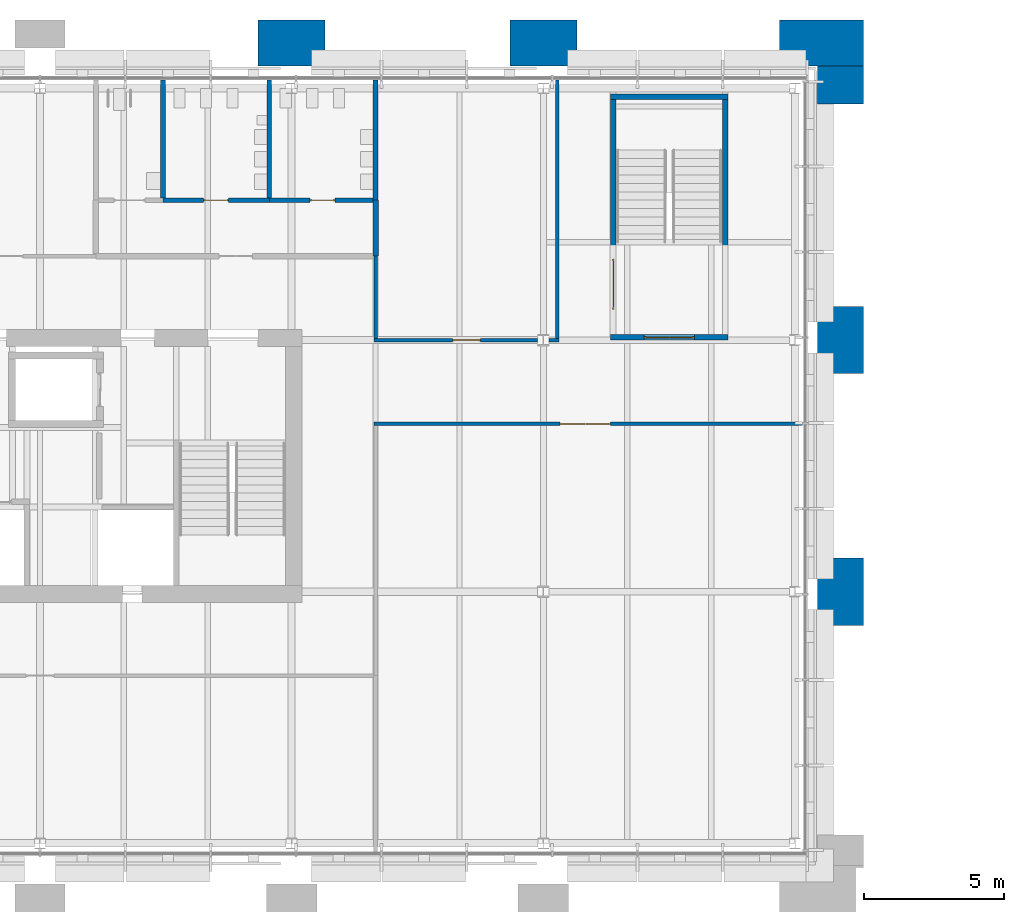
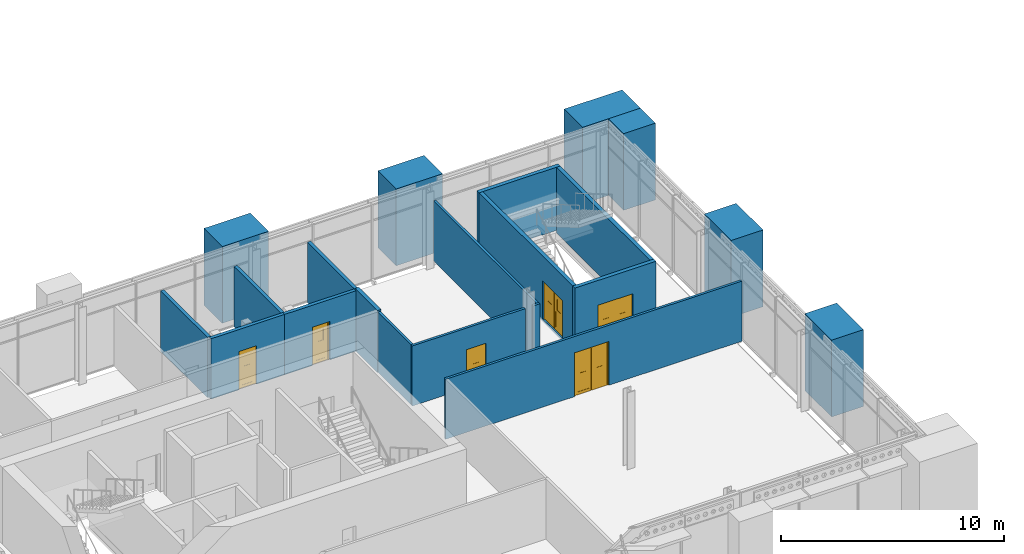
# One storey, part 28 of 54: 21 walls, 6 doors, 6 openings.
"""IFC4 building model written with IfcOpenShell, lengths in metres."""

import ifcopenshell
import ifcopenshell.guid

model = None  # the IFC model being written
_history = None  # IfcOwnerHistory: only IFC2X3 demands one
_inside = {}  # id of a spatial element -> (the spatial element, [elements in it])
_under = {}  # id of a project, library or spatial element -> (it, [spatial elements below it])
_declared = {}  # id of a project -> (the project, [libraries it declares])
_typed = {}  # id of a type object -> (the type object, [elements of that type])
_made_of = {}  # id of a material, layer set ... -> (it, [elements and type objects made of it])


def new_model(schema):
    """Start an empty IFC model of exactly this schema.

    Asked for "IFC4X3", IfcOpenShell would pick the latest addendum, in which some entities
    have other attributes; the version numbers below select the first issue.
    IFC2X3 requires an IfcOwnerHistory on every rooted entity: one is made here for all.
    """
    global model, _history
    if schema == "IFC4X3":
        model = ifcopenshell.file(schema_version=(4, 3, 0, 0))
    else:
        model = ifcopenshell.file(schema=schema)
    _inside.clear()
    _under.clear()
    _declared.clear()
    _typed.clear()
    _made_of.clear()
    _history = None
    if model.schema == "IFC2X3":
        org = make("IfcOrganization", Name="unknown")
        user = make(
            "IfcPersonAndOrganization",
            ThePerson=make("IfcPerson", FamilyName="unknown"),
            TheOrganization=org,
        )
        app = make(
            "IfcApplication",
            ApplicationDeveloper=org,
            Version="unknown",
            ApplicationFullName="unknown",
            ApplicationIdentifier="unknown",
        )
        _history = make(
            "IfcOwnerHistory",
            OwningUser=user,
            OwningApplication=app,
            ChangeAction="ADDED",
            CreationDate=0,
        )
    return model


def make(cls, **values):
    """One entity of the class cls with the attributes given. An attribute that is None is left unset."""
    return model.create_entity(
        cls, **{name: value for name, value in values.items() if value is not None}
    )


def rooted(cls, **values):
    """An entity with a GlobalId (a new one), such as an element, a storey or a relation."""
    return make(cls, GlobalId=ifcopenshell.guid.new(), OwnerHistory=_history, **values)


def si_unit(unit_type, name, prefix=None):
    """IfcSIUnit, for example si_unit("LENGTHUNIT", "METRE", prefix="MILLI")."""
    return make("IfcSIUnit", UnitType=unit_type, Prefix=prefix, Name=name)


def assignment(units):
    """IfcUnitAssignment: the units of a project."""
    return None if units is None else make("IfcUnitAssignment", Units=units)


def point(xyz):
    """IfcCartesianPoint."""
    return None if xyz is None else make("IfcCartesianPoint", Coordinates=xyz)


def direction(xyz):
    """IfcDirection."""
    return None if xyz is None else make("IfcDirection", DirectionRatios=xyz)


def frame(location, z_axis=None, x_axis=None):
    """IfcAxis2Placement3D, a coordinate frame: its origin and axes. An axis left out is left unset."""
    return make(
        "IfcAxis2Placement3D",
        Location=point(location),
        Axis=direction(z_axis),
        RefDirection=direction(x_axis),
    )


def frame_2d(location, x_axis=None):
    """IfcAxis2Placement2D, a coordinate frame in the plane: its origin and x axis."""
    return make(
        "IfcAxis2Placement2D", Location=point(location), RefDirection=direction(x_axis)
    )


def origin():
    """The frame at (0, 0, 0) with its axes left unset."""
    return frame((0.0, 0.0, 0.0))


def place(relative_to, where):
    """IfcLocalPlacement: puts the frame where relative to a parent placement (None: the world)."""
    return make(
        "IfcLocalPlacement", PlacementRelTo=relative_to, RelativePlacement=where
    )


def context(
    kind, dimensions, precision=None, world=None, true_north=None, identifier=None
):
    """IfcGeometricRepresentationContext, for example the 3D "Model" context."""
    return make(
        "IfcGeometricRepresentationContext",
        ContextIdentifier=identifier,
        ContextType=kind,
        CoordinateSpaceDimension=dimensions,
        Precision=precision,
        WorldCoordinateSystem=world,
        TrueNorth=true_north,
    )


def subcontext(parent, identifier, kind, view, scale=None):
    """IfcGeometricRepresentationSubContext, for example "Body" below "Model"."""
    return make(
        "IfcGeometricRepresentationSubContext",
        ContextIdentifier=identifier,
        ContextType=kind,
        ParentContext=parent,
        TargetScale=scale,
        TargetView=view,
    )


def project(units=None, contexts=None):
    """IfcProject with its units and contexts."""
    return rooted(
        "IfcProject",
        Name="project",
        RepresentationContexts=contexts,
        UnitsInContext=assignment(units),
    )


def spatial(cls, under=None, at=None, **own):
    """A site, building, storey or space (cls), placed at a placement, below another one or the project."""
    s = rooted(cls, ObjectPlacement=at, **own)
    if under is not None:
        _under.setdefault(under.id(), (under, []))[1].append(s)
    return s


def polyline(points):
    """IfcPolyline through the points."""
    return make("IfcPolyline", Points=[point(p) for p in points])


def profile(cls, at=None, kind="AREA", **sizes):
    """A parametric profile (cls). Its sizes go by their IFC names, for example OverallWidth=200.0."""
    return make(cls, ProfileType=kind, Position=at, **sizes)


def rectangle(**sizes):
    """IfcRectangleProfileDef."""
    return profile("IfcRectangleProfileDef", **sizes)


def outline(outer, holes=None, kind="AREA"):
    """IfcArbitraryClosedProfileDef: a profile drawn as a closed curve; with holes, ...WithVoids."""
    if holes is None:
        return make("IfcArbitraryClosedProfileDef", ProfileType=kind, OuterCurve=outer)
    return make(
        "IfcArbitraryProfileDefWithVoids",
        ProfileType=kind,
        OuterCurve=outer,
        InnerCurves=holes,
    )


def extrude(swept, where, along, depth):
    """IfcExtrudedAreaSolid: the profile swept, set in the frame where, extruded along a direction by depth."""
    return make(
        "IfcExtrudedAreaSolid",
        SweptArea=swept,
        Position=where,
        ExtrudedDirection=direction(along),
        Depth=depth,
    )


def shape(context_of_items, identifier, shape_type, items):
    """IfcShapeRepresentation: the items that make up one representation, for example the "Body"."""
    return make(
        "IfcShapeRepresentation",
        ContextOfItems=context_of_items,
        RepresentationIdentifier=identifier,
        RepresentationType=shape_type,
        Items=items,
    )


def material(Name=None, Category=None):
    """IfcMaterial."""
    return make("IfcMaterial", Name=Name, Category=Category)


def layer(
    of_material, thickness, ventilated=None, Name=None, Category=None, Priority=None
):
    """IfcMaterialLayer: one layer of a wall or slab, of a material (None: an air gap)."""
    return make(
        "IfcMaterialLayer",
        Material=of_material,
        LayerThickness=thickness,
        IsVentilated=ventilated,
        Name=Name,
        Category=Category,
        Priority=Priority,
    )


def layer_set(layers, Name=None):
    """IfcMaterialLayerSet."""
    return make("IfcMaterialLayerSet", MaterialLayers=layers, LayerSetName=Name)


def made_of(thing, what):
    """Note that an element or type object is made of a material, layer set ...; save() writes the relation."""
    if what is not None:
        _made_of.setdefault(what.id(), (what, []))[1].append(thing)
    return thing


def type_object(cls, material=None, **own):
    """A type object (cls), such as IfcWallType, which elements share."""
    return made_of(rooted(cls, **own), material)


def element(
    cls,
    number,
    at=None,
    inside=None,
    cuts=None,
    type_object=None,
    material=None,
    context=None,
    identifier="Body",
    shape_type=None,
    held_by="IfcProductDefinitionShape",
    body=None,
    shapes=None,
    **own,
):
    """One element of the class cls, such as IfcWall. Its Tag is "e" and its number.

    at: its placement. inside: the storey or other place that contains it. cuts: it is an
    opening in that element (IfcRelVoidsElement). A single representation is given by context,
    identifier, shape_type and body (its items); several are given by shapes. held_by: the class
    of the entity that holds the representations. save() writes the other relations.
    """
    e = rooted(cls, Tag="e%d" % number, ObjectPlacement=at, **own)
    if body is not None:
        shapes = [shape(context, identifier, shape_type, body)]
    if shapes is not None:
        e.Representation = make(held_by, Representations=shapes)
    if inside is not None:
        _inside.setdefault(inside.id(), (inside, []))[1].append(e)
    if cuts is not None:
        rooted(
            "IfcRelVoidsElement", RelatingBuildingElement=cuts, RelatedOpeningElement=e
        )
    if type_object is not None:
        _typed.setdefault(type_object.id(), (type_object, []))[1].append(e)
    return made_of(e, material)


def fill(opening, filler):
    """IfcRelFillsElement: the door or window that sits in an opening."""
    return rooted(
        "IfcRelFillsElement",
        RelatingOpeningElement=opening,
        RelatedBuildingElement=filler,
    )


def aggregate(whole, parts):
    """IfcRelAggregates: a whole, such as a stair, and the parts it consists of."""
    return rooted("IfcRelAggregates", RelatingObject=whole, RelatedObjects=parts)


def save(model, path):
    """Write the relations noted so far, then the file.

    IfcRelAggregates (storeys below a building ...), IfcRelContainedInSpatialStructure (elements
    in a storey), IfcRelDefinesByType, IfcRelAssociatesMaterial and IfcRelDeclares: one each for
    every whole, place, type object, material and project.
    """
    for whole, parts in _under.values():
        aggregate(whole, parts)
    for where, things in _inside.values():
        rooted(
            "IfcRelContainedInSpatialStructure",
            RelatedElements=things,
            RelatingStructure=where,
        )
    for kind, things in _typed.values():
        rooted("IfcRelDefinesByType", RelatedObjects=things, RelatingType=kind)
    for what, things in _made_of.values():
        rooted("IfcRelAssociatesMaterial", RelatedObjects=things, RelatingMaterial=what)
    for by, libraries in _declared.values():
        rooted("IfcRelDeclares", RelatingContext=by, RelatedDefinitions=libraries)
    model.write(path)


model = new_model("IFC4")

# Units and contexts
model_context = context("Model", 3, precision=1e-05, world=origin(), true_north=direction((0.0, 1.0)))
body_context = subcontext(model_context, "Body", "Model", "MODEL_VIEW")
ifc_project = project(units=[si_unit("LENGTHUNIT", "METRE"), si_unit("AREAUNIT", "SQUARE_METRE"), si_unit("VOLUMEUNIT", "CUBIC_METRE"), si_unit("PLANEANGLEUNIT", "RADIAN"), si_unit("MASSUNIT", "GRAM", prefix="KILO")], contexts=[model_context])

# Site, building, storey
site_placement = place(None, origin())
site = spatial("IfcSite", under=ifc_project, at=site_placement, CompositionType="ELEMENT")
building_placement = place(site_placement, origin())
building = spatial("IfcBuilding", under=site, at=building_placement, Name="Baradari Gate Terminus", CompositionType="ELEMENT")
storey_placement = place(building_placement, frame((0.0, 0.0, 15.89990234375)))
storey = spatial("IfcBuildingStorey", under=building, at=storey_placement, Name="L03", CompositionType="ELEMENT", Elevation=15.89990234375)

# Wall, opening, door
ifc_material_1 = material(Name="Gypsum board")
ifc_layer_1 = layer(ifc_material_1, 0.125)
ifc_layer_set_1 = layer_set([ifc_layer_1], Name="Gypsum board")
wall_type_1 = type_object("IfcWallType", Name="Corridor partition PT-5 125 EI 30", PredefinedType="PARTITIONING", material=ifc_layer_set_1)
wall_1_placement = place(storey_placement, frame((63.27001953125, 132.0, 0.0), z_axis=(0.0, 0.0, 1.0), x_axis=(-1.0, 0.0, 0.0)))
wall_1 = element("IfcWall", 1, at=wall_1_placement, inside=storey, type_object=wall_type_1, Name="PT-5 partition Corridor / Crew Booking Hall", PredefinedType="PARTITIONING", context=body_context, shape_type="SweptSolid", body=[
    extrude(rectangle(XDim=15.33251953125, YDim=0.125, at=frame_2d((7.666259765625, 0.0))), origin(), (0.0, 0.0, 1.0), 3.287109375),
])
opening_1_placement = place(wall_1_placement, frame((6.8701171875, 0.0, 0.0)))
opening_1 = element("IfcOpeningElement", 2, at=opening_1_placement, cuts=wall_1, Name="Opening D03-022", PredefinedType="OPENING", context=body_context, shape_type="SweptSolid", body=[
    extrude(rectangle(XDim=1.800048828125, YDim=2.39990234375, at=frame_2d((0.89990234375, 1.199951171875))), frame((0.0, 0.072509765625, 0.0), z_axis=(0.0, -1.0, 0.0), x_axis=(1.0, 0.0, 0.0)), (0.0, 0.0, 1.0), 0.14501953125),
])
ifc_material_2 = material(Name="Steel S275", Category="steel")
door_type_1 = type_object("IfcDoorType", Name="Fire door FI-1800x2400-FD30S 1800x2400 FD30S", OperationType="DOUBLE_DOOR_SINGLE_SWING", PredefinedType="DOOR", material=ifc_material_2)
door_1_placement = place(opening_1_placement, origin())
door_1 = element("IfcDoor", 3, at=door_1_placement, inside=storey, type_object=door_type_1, Name="Door Crew Booking Hall", OperationType="DOUBLE_DOOR_SINGLE_SWING", OverallHeight=2.4, OverallWidth=1.8, PredefinedType="DOOR", context=body_context, shape_type="SweptSolid", body=[
    extrude(outline(polyline([(0.0, 0.0), (0.070068359375, 0.0), (0.070068359375, 2.329833984375), (1.72998046875, 2.329833984375), (1.72998046875, 0.0), (1.800048828125, 0.0), (1.800048828125, 2.39990234375), (0.0, 2.39990234375), (0.0, 0.0)])), frame((0.0, 0.02490234375, 0.0), z_axis=(0.0, -1.0, 0.0), x_axis=(1.0, 0.0, 0.0)), (0.0, 0.0, 1.0), 0.050048828125),
    extrude(outline(polyline([(0.073974609375, 0.010009765625), (0.89697265625, 0.010009765625), (0.89697265625, 2.325927734375), (0.073974609375, 2.325927734375), (0.073974609375, 0.010009765625)]), holes=[polyline([(0.194091796875, 0.159912109375), (0.77685546875, 0.159912109375), (0.77685546875, 1.010009765625), (0.194091796875, 1.010009765625), (0.194091796875, 0.159912109375)]), polyline([(0.33544921875, 1.159912109375), (0.635498046875, 1.159912109375), (0.635498046875, 1.760009765625), (0.33544921875, 1.760009765625), (0.33544921875, 1.159912109375)])]), frame((0.0, 0.017333984375, 0.0), z_axis=(0.0, -1.0, 0.0), x_axis=(1.0, 0.0, 0.0)), (0.0, 0.0, 1.0), 0.034912109375),
    extrude(rectangle(XDim=0.582763671875, YDim=0.85009765625, at=frame_2d((0.4853515625, 0.5849609375))), frame((0.0, 0.008544921875, 0.0), z_axis=(0.0, -1.0, 0.0), x_axis=(1.0, 0.0, 0.0)), (0.0, 0.0, 1.0), 0.017333984375),
    extrude(rectangle(XDim=0.300048828125, YDim=0.60009765625, at=frame_2d((0.4853515625, 1.4599609375))), frame((0.0, 0.005859375, 0.0), z_axis=(0.0, -1.0, 0.0), x_axis=(1.0, 0.0, 0.0)), (0.0, 0.0, 1.0), 0.011962890625),
    extrude(outline(polyline([(0.903076171875, 0.010009765625), (1.72607421875, 0.010009765625), (1.72607421875, 2.325927734375), (0.903076171875, 2.325927734375), (0.903076171875, 0.010009765625)]), holes=[polyline([(1.023193359375, 0.159912109375), (1.60595703125, 0.159912109375), (1.60595703125, 1.010009765625), (1.023193359375, 1.010009765625), (1.023193359375, 0.159912109375)]), polyline([(1.16455078125, 1.159912109375), (1.464599609375, 1.159912109375), (1.464599609375, 1.760009765625), (1.16455078125, 1.760009765625), (1.16455078125, 1.159912109375)])]), frame((0.0, 0.017333984375, 0.0), z_axis=(0.0, -1.0, 0.0), x_axis=(1.0, 0.0, 0.0)), (0.0, 0.0, 1.0), 0.034912109375),
    extrude(rectangle(XDim=0.582763671875, YDim=0.85009765625, at=frame_2d((1.314453125, 0.5849609375))), frame((0.0, 0.008544921875, 0.0), z_axis=(0.0, -1.0, 0.0), x_axis=(1.0, 0.0, 0.0)), (0.0, 0.0, 1.0), 0.017333984375),
    extrude(rectangle(XDim=0.300048828125, YDim=0.60009765625, at=frame_2d((1.314453125, 1.4599609375))), frame((0.0, 0.005859375, 0.0), z_axis=(0.0, -1.0, 0.0), x_axis=(1.0, 0.0, 0.0)), (0.0, 0.0, 1.0), 0.011962890625),
])
fill(opening_1, door_1)

# Wall
wall_2_placement = place(storey_placement, frame((48.0, 138.0, 0.0), z_axis=(0.0, 0.0, 1.0), x_axis=(0.0, -1.0, 0.0)))
element("IfcWall", 4, at=wall_2_placement, inside=storey, type_object=wall_type_1, Name="PT-5 partition Corridor / Tea Point", PredefinedType="PARTITIONING", context=body_context, shape_type="SweptSolid", body=[
    extrude(rectangle(XDim=2.9375, YDim=0.125, at=frame_2d((1.46875, 0.0))), origin(), (0.0, 0.0, 1.0), 3.287109375),
])

# Wall, opening, door
wall_3_placement = place(storey_placement, frame((47.9375, 135.0, 0.0), z_axis=(0.0, 0.0, 1.0), x_axis=(1.0, 0.0, 0.0)))
wall_3 = element("IfcWall", 5, at=wall_3_placement, inside=storey, type_object=wall_type_1, Name="PT-5 partition Corridor / Tea Point", PredefinedType="PARTITIONING", context=body_context, shape_type="SweptSolid", body=[
    extrude(rectangle(XDim=5.861083984375, YDim=0.125, at=frame_2d((2.9306640625, 0.0))), origin(), (0.0, 0.0, 1.0), 3.287109375),
])
opening_2_placement = place(wall_3_placement, frame((2.8125, 0.0, 0.0)))
opening_2 = element("IfcOpeningElement", 6, at=opening_2_placement, cuts=wall_3, Name="Opening D03-026", PredefinedType="OPENING", context=body_context, shape_type="SweptSolid", body=[
    extrude(rectangle(XDim=1.0, YDim=2.10009765625, at=frame_2d((0.5, 1.050048828125))), frame((0.0, 0.072509765625, 0.0), z_axis=(0.0, -1.0, 0.0), x_axis=(1.0, 0.0, 0.0)), (0.0, 0.0, 1.0), 0.14501953125),
])
ifc_material_3 = material(Name="Steel S275", Category="steel")
door_type_2 = type_object("IfcDoorType", Name="Fire door FI-1000-FD30S 1000x2100 FD30S", OperationType="SINGLE_SWING_LEFT", PredefinedType="DOOR", material=ifc_material_3)
door_2_placement = place(opening_2_placement, origin())
door_2 = element("IfcDoor", 7, at=door_2_placement, inside=storey, type_object=door_type_2, Name="Door Tea Point", OperationType="SINGLE_SWING_LEFT", OverallHeight=2.1, OverallWidth=1.0, PredefinedType="DOOR", context=body_context, shape_type="SweptSolid", body=[
    extrude(outline(polyline([(0.0, 0.0), (0.070068359375, 0.0), (0.070068359375, 2.030029296875), (0.929931640625, 2.030029296875), (0.929931640625, 0.0), (1.0, 0.0), (1.0, 2.10009765625), (0.0, 2.10009765625), (0.0, 0.0)])), frame((0.0, 0.02490234375, 0.0), z_axis=(0.0, -1.0, 0.0), x_axis=(1.0, 0.0, 0.0)), (0.0, 0.0, 1.0), 0.050048828125),
    extrude(outline(polyline([(0.073974609375, 0.010009765625), (0.926025390625, 0.010009765625), (0.926025390625, 2.026123046875), (0.073974609375, 2.026123046875), (0.073974609375, 0.010009765625)]), holes=[polyline([(0.194091796875, 0.159912109375), (0.805908203125, 0.159912109375), (0.805908203125, 1.010009765625), (0.194091796875, 1.010009765625), (0.194091796875, 0.159912109375)]), polyline([(0.35009765625, 1.159912109375), (0.64990234375, 1.159912109375), (0.64990234375, 1.760009765625), (0.35009765625, 1.760009765625), (0.35009765625, 1.159912109375)])]), frame((0.0, 0.017333984375, 0.0), z_axis=(0.0, -1.0, 0.0), x_axis=(1.0, 0.0, 0.0)), (0.0, 0.0, 1.0), 0.034912109375),
    extrude(rectangle(XDim=0.61181640625, YDim=0.85009765625, at=frame_2d((0.5, 0.5849609375))), frame((0.0, 0.008544921875, 0.0), z_axis=(0.0, -1.0, 0.0), x_axis=(1.0, 0.0, 0.0)), (0.0, 0.0, 1.0), 0.017333984375),
    extrude(rectangle(XDim=0.2998046875, YDim=0.60009765625, at=frame_2d((0.5, 1.4599609375))), frame((0.0, 0.005859375, 0.0), z_axis=(0.0, -1.0, 0.0), x_axis=(1.0, 0.0, 0.0)), (0.0, 0.0, 1.0), 0.011962890625),
])
fill(opening_2, door_2)

# Walls
wall_4_placement = place(storey_placement, frame((54.201416015625, 135.0, 0.0), z_axis=(0.0, 0.0, 1.0), x_axis=(1.0, 0.0, 0.0)))
element("IfcWall", 8, at=wall_4_placement, inside=storey, type_object=wall_type_1, Name="PT-5 partition Corridor / Tea Point", PredefinedType="PARTITIONING", context=body_context, shape_type="SweptSolid", body=[
    extrude(rectangle(XDim=0.361083984375, YDim=0.125, at=frame_2d((0.1806640625, 0.0))), origin(), (0.0, 0.0, 1.0), 3.287109375),
])
wall_5_placement = place(storey_placement, frame((54.5, 135.0625, 0.0), z_axis=(0.0, 0.0, 1.0), x_axis=(0.0, 1.0, 0.0)))
element("IfcWall", 9, at=wall_5_placement, inside=storey, type_object=wall_type_1, Name="PT-5 partition Corridor (Stair Passage) / Tea Point", PredefinedType="PARTITIONING", context=body_context, shape_type="SweptSolid", body=[
    extrude(rectangle(XDim=9.232421875, YDim=0.125, at=frame_2d((4.6162109375, 0.0))), origin(), (0.0, 0.0, 1.0), 3.287109375),
])
ifc_material_4 = material(Name="Blockwork wall, plastered, fire rated", Category="masonry")
ifc_layer_2 = layer(ifc_material_4, 0.199951171875)
ifc_layer_set_2 = layer_set([ifc_layer_2], Name="Blockwork wall, plastered, fire rated")
wall_type_2 = type_object("IfcWallType", Name="Lobby partition PT-4 200 EI 60", PredefinedType="PARTITIONING", material=ifc_layer_set_2)
wall_6_placement = place(storey_placement, frame((48.0, 140.0, 0.0), z_axis=(0.0, 0.0, 1.0), x_axis=(0.0, -1.0, 0.0)))
element("IfcWall", 10, at=wall_6_placement, inside=storey, type_object=wall_type_2, Name="PT-4 partition WC Lobby / Tea Point", PredefinedType="PARTITIONING", context=body_context, shape_type="SweptSolid", body=[
    extrude(rectangle(XDim=2.0, YDim=0.199951171875, at=frame_2d((1.0, 0.0))), origin(), (0.0, 0.0, 1.0), 3.382080078125),
])
ifc_material_5 = material(Name="Concrete C40/50 precast", Category="concrete")
ifc_layer_3 = layer(ifc_material_5, 1.55)
ifc_material_6 = material(Name="Sandstone cladding", Category="masonry")
ifc_layer_4 = layer(ifc_material_6, 0.1)
ifc_layer_set_3 = layer_set([ifc_layer_3, ifc_layer_4], Name="Concrete C40/50 precast")
wall_type_3 = type_object("IfcWallType", Name="Sandstone-faced precast frame pier WQ-4 1650", PredefinedType="SOLIDWALL", material=ifc_layer_set_3)
for number, where, z_axis, x_axis, name in (
    (11, (43.800048828125, 145.6201171875, 0.0), (0.0, 0.0, 1.0), (1.0, 0.0, 0.0), "Frame pier N face bay 2 a L03"),
    (12, (52.800048828125, 145.6201171875, 0.0), (0.0, 0.0, 1.0), (1.0, 0.0, 0.0), "Frame pier N face bay 2 b L03"),
    (13, (64.6201171875, 124.800048828125, 0.0), (0.0, 0.0, 1.0), (0.0, 1.0, 0.0), "Frame pier E face bay 1 a L03"),
    (14, (64.6201171875, 133.800048828125, 0.0), (0.0, 0.0, 1.0), (0.0, 1.0, 0.0), "Frame pier E face bay 1 b L03"),
):
    element("IfcWall", number, at=place(storey_placement, frame(where, z_axis=z_axis, x_axis=x_axis)), inside=storey, type_object=wall_type_3, Name=name, PredefinedType="SOLIDWALL", context=body_context, shape_type="SweptSolid", body=[
        extrude(rectangle(XDim=2.39990234375, YDim=1.64990234375, at=frame_2d((1.199951171875, 0.0))), origin(), (0.0, 0.0, 1.0), 4.2001953125),
    ])
wall_7_placement = place(storey_placement, frame((62.445068359375, 145.6201171875, 0.0), z_axis=(0.0, 0.0, 1.0), x_axis=(1.0, 0.0, 0.0)))
element("IfcWall", 15, at=wall_7_placement, inside=storey, type_object=wall_type_3, Name="Corner pilaster NE leg A L03", PredefinedType="SOLIDWALL", context=body_context, shape_type="SweptSolid", body=[
    extrude(rectangle(XDim=3.0, YDim=1.64990234375, at=frame_2d((1.5, 0.0))), origin(), (0.0, 0.0, 1.0), 4.2001953125),
])
wall_8_placement = place(storey_placement, frame((64.6201171875, 143.445068359375, 0.0), z_axis=(0.0, 0.0, 1.0), x_axis=(0.0, 1.0, 0.0)))
element("IfcWall", 16, at=wall_8_placement, inside=storey, type_object=wall_type_3, Name="Corner pilaster NE leg B L03", PredefinedType="SOLIDWALL", context=body_context, shape_type="SweptSolid", body=[
    extrude(rectangle(XDim=1.349853515625, YDim=1.64990234375, at=frame_2d((0.6748046875, 0.0))), origin(), (0.0, 0.0, 1.0), 4.2001953125),
])

# Wall, opening, door
ifc_material_7 = material(Name="Concrete C40/50", Category="concrete")
ifc_layer_5 = layer(ifc_material_7, 0.199951171875)
ifc_layer_set_4 = layer_set([ifc_layer_5], Name="Concrete C40/50")
wall_type_4 = type_object("IfcWallType", Name="Stair enclosure wall SE-2 200 EI 120", PredefinedType="SOLIDWALL", material=ifc_layer_set_4)
wall_9_placement = place(storey_placement, frame((56.39990234375, 135.10009765625, -0.1298828125), z_axis=(0.0, 0.0, 1.0), x_axis=(1.0, 0.0, 0.0)))
wall_9 = element("IfcWall", 17, at=wall_9_placement, inside=storey, type_object=wall_type_4, Name="Stair enclosure wall SE-2 ST-T3 L03 S", PredefinedType="SOLIDWALL", context=body_context, shape_type="SweptSolid", body=[
    extrude(rectangle(XDim=4.2001953125, YDim=0.199951171875, at=frame_2d((2.10009765625, 0.0))), origin(), (0.0, 0.0, 1.0), 3.5869140625),
])
opening_3_placement = place(wall_9_placement, frame((1.199951171875, 0.0, 0.1298828125)))
opening_3 = element("IfcOpeningElement", 18, at=opening_3_placement, cuts=wall_9, Name="Opening D03-014", PredefinedType="OPENING", context=body_context, shape_type="SweptSolid", body=[
    extrude(rectangle(XDim=1.800048828125, YDim=2.10009765625, at=frame_2d((0.89990234375, 1.050048828125))), frame((0.0, 0.10986328125, 0.0), z_axis=(0.0, -1.0, 0.0), x_axis=(1.0, 0.0, 0.0)), (0.0, 0.0, 1.0), 0.219970703125),
])
ifc_material_8 = material(Name="Steel S275", Category="steel")
door_type_3 = type_object("IfcDoorType", Name="Fire door FI-1800-FD90S 1800x2100 FD90S", OperationType="DOUBLE_DOOR_SINGLE_SWING", PredefinedType="DOOR", material=ifc_material_8)
door_3_placement = place(opening_3_placement, origin())
door_3 = element("IfcDoor", 19, at=door_3_placement, inside=storey, type_object=door_type_3, Name="Door Stair (East Core)", OperationType="DOUBLE_DOOR_SINGLE_SWING", OverallHeight=2.1, OverallWidth=1.8, PredefinedType="DOOR", context=body_context, shape_type="SweptSolid", body=[
    extrude(outline(polyline([(0.0, 0.0), (0.070068359375, 0.0), (0.070068359375, 2.030029296875), (1.72998046875, 2.030029296875), (1.72998046875, 0.0), (1.800048828125, 0.0), (1.800048828125, 2.10009765625), (0.0, 2.10009765625), (0.0, 0.0)])), frame((0.0, 0.02490234375, 0.0), z_axis=(0.0, -1.0, 0.0), x_axis=(1.0, 0.0, 0.0)), (0.0, 0.0, 1.0), 0.050048828125),
    extrude(outline(polyline([(0.073974609375, 0.010009765625), (0.89697265625, 0.010009765625), (0.89697265625, 2.026123046875), (0.073974609375, 2.026123046875), (0.073974609375, 0.010009765625)]), holes=[polyline([(0.194091796875, 0.159912109375), (0.77685546875, 0.159912109375), (0.77685546875, 1.010009765625), (0.194091796875, 1.010009765625), (0.194091796875, 0.159912109375)]), polyline([(0.33544921875, 1.159912109375), (0.635498046875, 1.159912109375), (0.635498046875, 1.760009765625), (0.33544921875, 1.760009765625), (0.33544921875, 1.159912109375)])]), frame((0.0, 0.017333984375, 0.0), z_axis=(0.0, -1.0, 0.0), x_axis=(1.0, 0.0, 0.0)), (0.0, 0.0, 1.0), 0.034912109375),
    extrude(rectangle(XDim=0.582763671875, YDim=0.85009765625, at=frame_2d((0.4853515625, 0.5849609375))), frame((0.0, 0.008544921875, 0.0), z_axis=(0.0, -1.0, 0.0), x_axis=(1.0, 0.0, 0.0)), (0.0, 0.0, 1.0), 0.017333984375),
    extrude(rectangle(XDim=0.300048828125, YDim=0.60009765625, at=frame_2d((0.4853515625, 1.4599609375))), frame((0.0, 0.005859375, 0.0), z_axis=(0.0, -1.0, 0.0), x_axis=(1.0, 0.0, 0.0)), (0.0, 0.0, 1.0), 0.011962890625),
    extrude(outline(polyline([(0.903076171875, 0.010009765625), (1.72607421875, 0.010009765625), (1.72607421875, 2.026123046875), (0.903076171875, 2.026123046875), (0.903076171875, 0.010009765625)]), holes=[polyline([(1.023193359375, 0.159912109375), (1.60595703125, 0.159912109375), (1.60595703125, 1.010009765625), (1.023193359375, 1.010009765625), (1.023193359375, 0.159912109375)]), polyline([(1.16455078125, 1.159912109375), (1.464599609375, 1.159912109375), (1.464599609375, 1.760009765625), (1.16455078125, 1.760009765625), (1.16455078125, 1.159912109375)])]), frame((0.0, 0.017333984375, 0.0), z_axis=(0.0, -1.0, 0.0), x_axis=(1.0, 0.0, 0.0)), (0.0, 0.0, 1.0), 0.034912109375),
    extrude(rectangle(XDim=0.582763671875, YDim=0.85009765625, at=frame_2d((1.314453125, 0.5849609375))), frame((0.0, 0.008544921875, 0.0), z_axis=(0.0, -1.0, 0.0), x_axis=(1.0, 0.0, 0.0)), (0.0, 0.0, 1.0), 0.017333984375),
    extrude(rectangle(XDim=0.300048828125, YDim=0.60009765625, at=frame_2d((1.314453125, 1.4599609375))), frame((0.0, 0.005859375, 0.0), z_axis=(0.0, -1.0, 0.0), x_axis=(1.0, 0.0, 0.0)), (0.0, 0.0, 1.0), 0.011962890625),
])
fill(opening_3, door_3)

# Wall
wall_10_placement = place(storey_placement, frame((56.39990234375, 143.699951171875, 0.0), z_axis=(0.0, 0.0, 1.0), x_axis=(1.0, 0.0, 0.0)))
element("IfcWall", 20, at=wall_10_placement, inside=storey, type_object=wall_type_4, Name="Stair enclosure wall SE-2 ST-T3 L03 N", PredefinedType="SOLIDWALL", context=body_context, shape_type="SweptSolid", body=[
    extrude(rectangle(XDim=4.2001953125, YDim=0.199951171875, at=frame_2d((2.10009765625, 0.0))), origin(), (0.0, 0.0, 1.0), 3.45703125),
])

# Wall, opening, door
wall_11_placement = place(storey_placement, frame((56.5, 135.199951171875, -0.1298828125), z_axis=(0.0, 0.0, 1.0), x_axis=(0.0, 1.0, 0.0)))
wall_11 = element("IfcWall", 21, at=wall_11_placement, inside=storey, type_object=wall_type_4, Name="Stair enclosure wall SE-2 ST-T3 L03 W", PredefinedType="SOLIDWALL", context=body_context, shape_type="SweptSolid", body=[
    extrude(rectangle(XDim=8.400146484375, YDim=0.199951171875, at=frame_2d((4.2001953125, 0.0))), origin(), (0.0, 0.0, 1.0), 3.5869140625),
])
opening_4_placement = place(wall_11_placement, frame((0.89990234375, 0.0, 0.1298828125)))
opening_4 = element("IfcOpeningElement", 22, at=opening_4_placement, cuts=wall_11, Name="Opening D03-013", PredefinedType="OPENING", context=body_context, shape_type="SweptSolid", body=[
    extrude(rectangle(XDim=1.800048828125, YDim=2.10009765625, at=frame_2d((0.89990234375, 1.050048828125))), frame((0.0, 0.10986328125, 0.0), z_axis=(0.0, -1.0, 0.0), x_axis=(1.0, 0.0, 0.0)), (0.0, 0.0, 1.0), 0.219970703125),
])
door_4_placement = place(opening_4_placement, frame((1.800048828125, 0.0, 0.0), z_axis=(0.0, 0.0, 1.0), x_axis=(-1.0, 0.0, 0.0)))
door_4 = element("IfcDoor", 23, at=door_4_placement, inside=storey, type_object=door_type_3, Name="Door Stair (East Core)", OperationType="DOUBLE_DOOR_SINGLE_SWING", OverallHeight=2.1, OverallWidth=1.8, PredefinedType="DOOR", context=body_context, shape_type="SweptSolid", body=[
    extrude(outline(polyline([(0.0, 0.0), (0.070068359375, 0.0), (0.070068359375, 2.030029296875), (1.72998046875, 2.030029296875), (1.72998046875, 0.0), (1.800048828125, 0.0), (1.800048828125, 2.10009765625), (0.0, 2.10009765625), (0.0, 0.0)])), frame((0.0, 0.02490234375, 0.0), z_axis=(0.0, -1.0, 0.0), x_axis=(1.0, 0.0, 0.0)), (0.0, 0.0, 1.0), 0.050048828125),
    extrude(outline(polyline([(0.073974609375, 0.010009765625), (0.89697265625, 0.010009765625), (0.89697265625, 2.026123046875), (0.073974609375, 2.026123046875), (0.073974609375, 0.010009765625)]), holes=[polyline([(0.194091796875, 0.159912109375), (0.77685546875, 0.159912109375), (0.77685546875, 1.010009765625), (0.194091796875, 1.010009765625), (0.194091796875, 0.159912109375)]), polyline([(0.33544921875, 1.159912109375), (0.635498046875, 1.159912109375), (0.635498046875, 1.760009765625), (0.33544921875, 1.760009765625), (0.33544921875, 1.159912109375)])]), frame((0.0, 0.017333984375, 0.0), z_axis=(0.0, -1.0, 0.0), x_axis=(1.0, 0.0, 0.0)), (0.0, 0.0, 1.0), 0.034912109375),
    extrude(rectangle(XDim=0.582763671875, YDim=0.85009765625, at=frame_2d((0.4853515625, 0.5849609375))), frame((0.0, 0.008544921875, 0.0), z_axis=(0.0, -1.0, 0.0), x_axis=(1.0, 0.0, 0.0)), (0.0, 0.0, 1.0), 0.017333984375),
    extrude(rectangle(XDim=0.300048828125, YDim=0.60009765625, at=frame_2d((0.4853515625, 1.4599609375))), frame((0.0, 0.005859375, 0.0), z_axis=(0.0, -1.0, 0.0), x_axis=(1.0, 0.0, 0.0)), (0.0, 0.0, 1.0), 0.011962890625),
    extrude(outline(polyline([(0.903076171875, 0.010009765625), (1.72607421875, 0.010009765625), (1.72607421875, 2.026123046875), (0.903076171875, 2.026123046875), (0.903076171875, 0.010009765625)]), holes=[polyline([(1.023193359375, 0.159912109375), (1.60595703125, 0.159912109375), (1.60595703125, 1.010009765625), (1.023193359375, 1.010009765625), (1.023193359375, 0.159912109375)]), polyline([(1.16455078125, 1.159912109375), (1.464599609375, 1.159912109375), (1.464599609375, 1.760009765625), (1.16455078125, 1.760009765625), (1.16455078125, 1.159912109375)])]), frame((0.0, 0.017333984375, 0.0), z_axis=(0.0, -1.0, 0.0), x_axis=(1.0, 0.0, 0.0)), (0.0, 0.0, 1.0), 0.034912109375),
    extrude(rectangle(XDim=0.582763671875, YDim=0.85009765625, at=frame_2d((1.314453125, 0.5849609375))), frame((0.0, 0.008544921875, 0.0), z_axis=(0.0, -1.0, 0.0), x_axis=(1.0, 0.0, 0.0)), (0.0, 0.0, 1.0), 0.017333984375),
    extrude(rectangle(XDim=0.300048828125, YDim=0.60009765625, at=frame_2d((1.314453125, 1.4599609375))), frame((0.0, 0.005859375, 0.0), z_axis=(0.0, -1.0, 0.0), x_axis=(1.0, 0.0, 0.0)), (0.0, 0.0, 1.0), 0.011962890625),
])
fill(opening_4, door_4)

# Wall
wall_12_placement = place(storey_placement, frame((60.5, 135.199951171875, -0.1298828125), z_axis=(0.0, 0.0, 1.0), x_axis=(0.0, 1.0, 0.0)))
element("IfcWall", 24, at=wall_12_placement, inside=storey, type_object=wall_type_4, Name="Stair enclosure wall SE-2 ST-T3 L03 E", PredefinedType="SOLIDWALL", context=body_context, shape_type="SweptSolid", body=[
    extrude(rectangle(XDim=8.400146484375, YDim=0.199951171875, at=frame_2d((4.2001953125, 0.0))), origin(), (0.0, 0.0, 1.0), 3.5869140625),
])

# Wall, opening, door
ifc_material_9 = material(Name="Blockwork wall, tiled both faces", Category="masonry")
ifc_layer_6 = layer(ifc_material_9, 0.175048828125)
ifc_layer_set_5 = layer_set([ifc_layer_6], Name="Blockwork wall, tiled both faces")
wall_type_5 = type_object("IfcWallType", Name="WC wet wall PT-6 175 EI 60", PredefinedType="PARTITIONING", material=ifc_layer_set_5)
wall_13_placement = place(storey_placement, frame((40.39990234375, 140.0, 0.0), z_axis=(0.0, 0.0, 1.0), x_axis=(1.0, 0.0, 0.0)))
wall_13 = element("IfcWall", 25, at=wall_13_placement, inside=storey, type_object=wall_type_5, Name="PT-6 partition WC Lobby / Male WC", PredefinedType="PARTITIONING", context=body_context, shape_type="SweptSolid", body=[
    extrude(rectangle(XDim=3.800048828125, YDim=0.175048828125, at=frame_2d((1.89990234375, 0.0))), origin(), (0.0, 0.0, 1.0), 3.30712890625),
])
opening_5_placement = place(wall_13_placement, frame((1.449951171875, 0.0, 0.0)))
opening_5 = element("IfcOpeningElement", 26, at=opening_5_placement, cuts=wall_13, Name="Opening D03-017", PredefinedType="OPENING", context=body_context, shape_type="SweptSolid", body=[
    extrude(rectangle(XDim=0.89990234375, YDim=2.10009765625, at=frame_2d((0.449951171875, 1.050048828125))), frame((0.0, 0.097412109375, 0.0), z_axis=(0.0, -1.0, 0.0), x_axis=(1.0, 0.0, 0.0)), (0.0, 0.0, 1.0), 0.195068359375),
])
ifc_material_10 = material(Name="Steel S275", Category="steel")
door_type_4 = type_object("IfcDoorType", Name="Fire door FI-900-FD60S 900x2100 FD60S", OperationType="SINGLE_SWING_LEFT", PredefinedType="DOOR", material=ifc_material_10)
door_5_placement = place(opening_5_placement, origin())
door_5 = element("IfcDoor", 27, at=door_5_placement, inside=storey, type_object=door_type_4, Name="Door Male WC", OperationType="SINGLE_SWING_LEFT", OverallHeight=2.1, OverallWidth=0.9, PredefinedType="DOOR", context=body_context, shape_type="SweptSolid", body=[
    extrude(outline(polyline([(0.0, 0.0), (0.070068359375, 0.0), (0.070068359375, 2.030029296875), (0.829833984375, 2.030029296875), (0.829833984375, 0.0), (0.89990234375, 0.0), (0.89990234375, 2.10009765625), (0.0, 2.10009765625), (0.0, 0.0)])), frame((0.0, 0.02490234375, 0.0), z_axis=(0.0, -1.0, 0.0), x_axis=(1.0, 0.0, 0.0)), (0.0, 0.0, 1.0), 0.050048828125),
    extrude(outline(polyline([(0.073974609375, 0.010009765625), (0.825927734375, 0.010009765625), (0.825927734375, 2.026123046875), (0.073974609375, 2.026123046875), (0.073974609375, 0.010009765625)]), holes=[polyline([(0.194091796875, 0.159912109375), (0.705810546875, 0.159912109375), (0.705810546875, 1.010009765625), (0.194091796875, 1.010009765625), (0.194091796875, 0.159912109375)]), polyline([(0.300048828125, 1.159912109375), (0.599853515625, 1.159912109375), (0.599853515625, 1.760009765625), (0.300048828125, 1.760009765625), (0.300048828125, 1.159912109375)])]), frame((0.0, 0.017333984375, 0.0), z_axis=(0.0, -1.0, 0.0), x_axis=(1.0, 0.0, 0.0)), (0.0, 0.0, 1.0), 0.034912109375),
    extrude(rectangle(XDim=0.51171875, YDim=0.85009765625, at=frame_2d((0.449951171875, 0.5849609375))), frame((0.0, 0.008544921875, 0.0), z_axis=(0.0, -1.0, 0.0), x_axis=(1.0, 0.0, 0.0)), (0.0, 0.0, 1.0), 0.017333984375),
    extrude(rectangle(XDim=0.2998046875, YDim=0.60009765625, at=frame_2d((0.449951171875, 1.4599609375))), frame((0.0, 0.005859375, 0.0), z_axis=(0.0, -1.0, 0.0), x_axis=(1.0, 0.0, 0.0)), (0.0, 0.0, 1.0), 0.011962890625),
])
fill(opening_5, door_5)

wall_14_placement = place(storey_placement, frame((44.199951171875, 140.0, 0.0), z_axis=(0.0, 0.0, 1.0), x_axis=(1.0, 0.0, 0.0)))
wall_14 = element("IfcWall", 28, at=wall_14_placement, inside=storey, type_object=wall_type_5, Name="PT-6 partition WC Lobby / Female WC", PredefinedType="PARTITIONING", context=body_context, shape_type="SweptSolid", body=[
    extrude(rectangle(XDim=3.699951171875, YDim=0.175048828125, at=frame_2d((1.85009765625, 0.0))), origin(), (0.0, 0.0, 1.0), 3.30712890625),
])
opening_6_placement = place(wall_14_placement, frame((1.449951171875, 0.0, 0.0)))
opening_6 = element("IfcOpeningElement", 29, at=opening_6_placement, cuts=wall_14, Name="Opening D03-018", PredefinedType="OPENING", context=body_context, shape_type="SweptSolid", body=[
    extrude(rectangle(XDim=0.89990234375, YDim=2.10009765625, at=frame_2d((0.449951171875, 1.050048828125))), frame((0.0, 0.097412109375, 0.0), z_axis=(0.0, -1.0, 0.0), x_axis=(1.0, 0.0, 0.0)), (0.0, 0.0, 1.0), 0.195068359375),
])
door_6_placement = place(opening_6_placement, origin())
door_6 = element("IfcDoor", 30, at=door_6_placement, inside=storey, type_object=door_type_4, Name="Door Female WC", OperationType="SINGLE_SWING_LEFT", OverallHeight=2.1, OverallWidth=0.9, PredefinedType="DOOR", context=body_context, shape_type="SweptSolid", body=[
    extrude(outline(polyline([(0.0, 0.0), (0.070068359375, 0.0), (0.070068359375, 2.030029296875), (0.829833984375, 2.030029296875), (0.829833984375, 0.0), (0.89990234375, 0.0), (0.89990234375, 2.10009765625), (0.0, 2.10009765625), (0.0, 0.0)])), frame((0.0, 0.02490234375, 0.0), z_axis=(0.0, -1.0, 0.0), x_axis=(1.0, 0.0, 0.0)), (0.0, 0.0, 1.0), 0.050048828125),
    extrude(outline(polyline([(0.073974609375, 0.010009765625), (0.825927734375, 0.010009765625), (0.825927734375, 2.026123046875), (0.073974609375, 2.026123046875), (0.073974609375, 0.010009765625)]), holes=[polyline([(0.194091796875, 0.159912109375), (0.705810546875, 0.159912109375), (0.705810546875, 1.010009765625), (0.194091796875, 1.010009765625), (0.194091796875, 0.159912109375)]), polyline([(0.300048828125, 1.159912109375), (0.599853515625, 1.159912109375), (0.599853515625, 1.760009765625), (0.300048828125, 1.760009765625), (0.300048828125, 1.159912109375)])]), frame((0.0, 0.017333984375, 0.0), z_axis=(0.0, -1.0, 0.0), x_axis=(1.0, 0.0, 0.0)), (0.0, 0.0, 1.0), 0.034912109375),
    extrude(rectangle(XDim=0.51171875, YDim=0.85009765625, at=frame_2d((0.449951171875, 0.5849609375))), frame((0.0, 0.008544921875, 0.0), z_axis=(0.0, -1.0, 0.0), x_axis=(1.0, 0.0, 0.0)), (0.0, 0.0, 1.0), 0.017333984375),
    extrude(rectangle(XDim=0.2998046875, YDim=0.60009765625, at=frame_2d((0.449951171875, 1.4599609375))), frame((0.0, 0.005859375, 0.0), z_axis=(0.0, -1.0, 0.0), x_axis=(1.0, 0.0, 0.0)), (0.0, 0.0, 1.0), 0.011962890625),
])
fill(opening_6, door_6)

# Walls
for number, where, z_axis, x_axis, name in (
    (31, (40.39990234375, 144.294921875, 0.0), (0.0, 0.0, 1.0), (0.0, -1.0, 0.0), "PT-6 partition Accessible WC / Male WC"),
    (32, (44.199951171875, 144.294921875, 0.0), (0.0, 0.0, 1.0), (0.0, -1.0, 0.0), "PT-6 partition Male WC / Female WC"),
):
    element("IfcWall", number, at=place(storey_placement, frame(where, z_axis=z_axis, x_axis=x_axis)), inside=storey, type_object=wall_type_5, Name=name, PredefinedType="PARTITIONING", context=body_context, shape_type="SweptSolid", body=[
        extrude(rectangle(XDim=4.20751953125, YDim=0.175048828125, at=frame_2d((2.103759765625, 0.0))), origin(), (0.0, 0.0, 1.0), 3.30712890625),
    ])
wall_15_placement = place(storey_placement, frame((48.0, 144.294921875, 0.0), z_axis=(0.0, 0.0, 1.0), x_axis=(0.0, -1.0, 0.0)))
element("IfcWall", 33, at=wall_15_placement, inside=storey, type_object=wall_type_5, Name="PT-6 partition Female WC / Tea Point", PredefinedType="PARTITIONING", context=body_context, shape_type="SweptSolid", body=[
    extrude(rectangle(XDim=4.294921875, YDim=0.175048828125, at=frame_2d((2.1474609375, 0.0))), origin(), (0.0, 0.0, 1.0), 3.30712890625),
])

save(model, "model.ifc")
